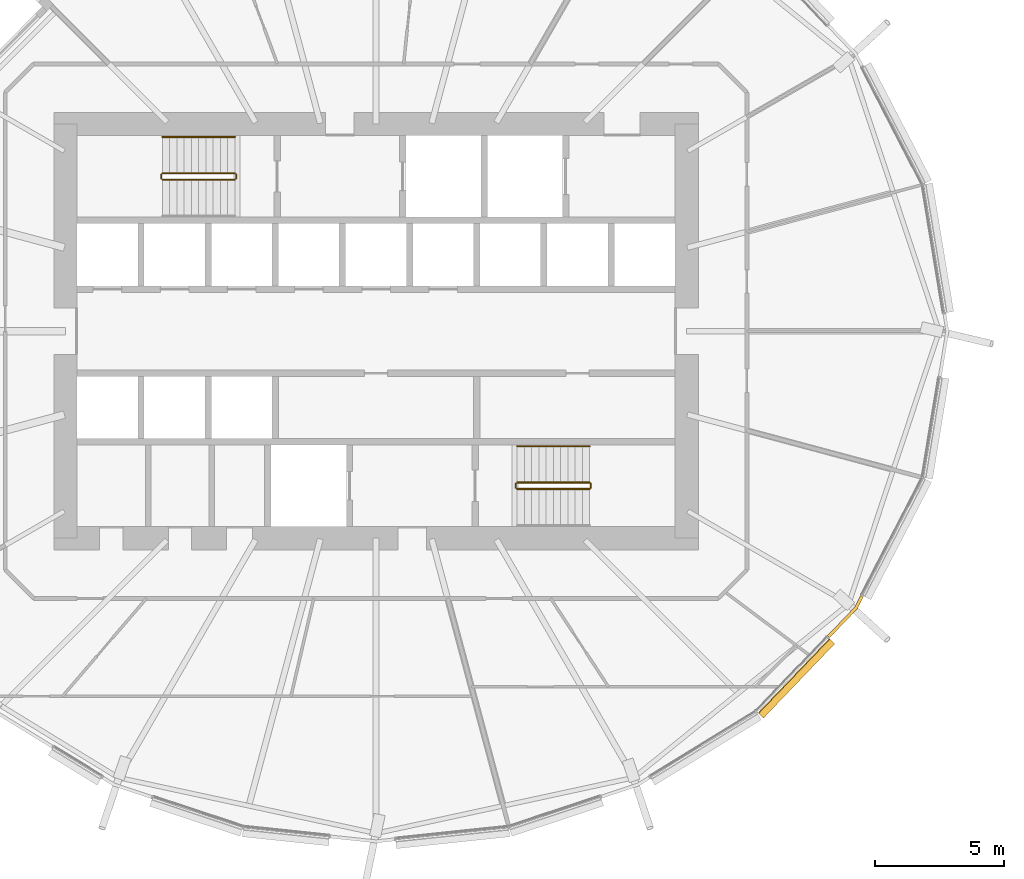
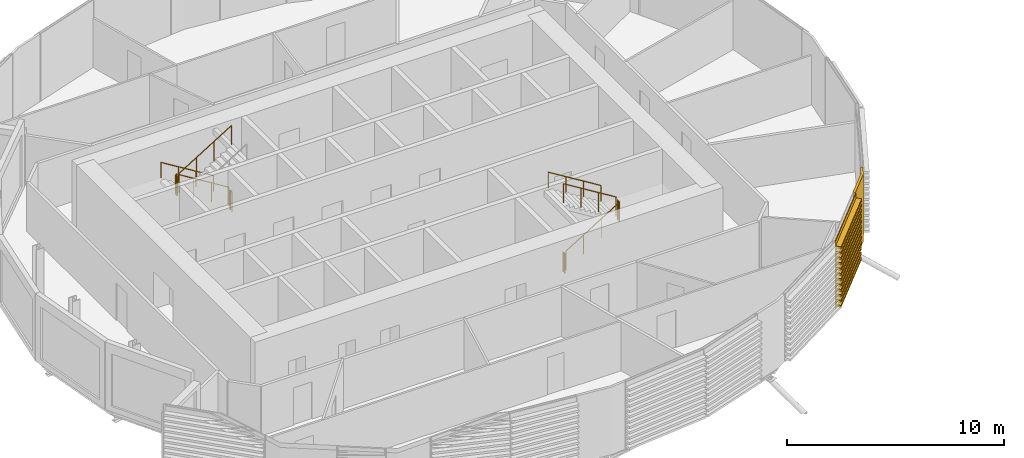
# One storey, part 32 of 36: 10 railings, 2 coverings.
"""IFC4 building model written with IfcOpenShell, lengths in metres."""

from ifc_helpers import new_model, si_unit, direction, frame, origin, origin_2d, place, context, subcontext, project, spatial, polyline, circle, outline, extrude, material, layer, layer_set, material_profile, profile_set, type_object, element, save


model = new_model("IFC4")

# Units and contexts
model_context = context("Model", 3, precision=1e-05, world=origin(), true_north=direction((0.0, 1.0)))
body_context = subcontext(model_context, "Body", "Model", "MODEL_VIEW")
ifc_project = project(units=[si_unit("LENGTHUNIT", "METRE"), si_unit("AREAUNIT", "SQUARE_METRE"), si_unit("VOLUMEUNIT", "CUBIC_METRE"), si_unit("PLANEANGLEUNIT", "RADIAN"), si_unit("MASSUNIT", "GRAM", prefix="KILO")], contexts=[model_context])

# Site, building, storey
site_placement = place(None, origin())
site = spatial("IfcSite", under=ifc_project, at=site_placement, CompositionType="ELEMENT")
building_placement = place(site_placement, origin())
building = spatial("IfcBuilding", under=site, at=building_placement, Name="Rimbun Link Towers", CompositionType="ELEMENT")
storey_placement = place(building_placement, frame((0.0, 0.0, 33.800048828125)))
storey = spatial("IfcBuildingStorey", under=building, at=storey_placement, Name="L07", CompositionType="ELEMENT", Elevation=33.800048828125)

# Covering
ifc_material_1 = material(Name="Terracotta", Category="masonry")
ifc_layer = layer(ifc_material_1, 0.1201171875)
ifc_layer_set = layer_set([ifc_layer], Name="LINK PIER terracotta cladding 120")
covering_type_1 = type_object("IfcCoveringType", Name="LINK PIER terracotta cladding 120", PredefinedType="CLADDING", material=ifc_layer_set)
covering_1_placement = place(storey_placement, origin())
element("IfcCovering", 1, at=covering_1_placement, inside=storey, type_object=covering_type_1, Name="LINK PIER cladding", PredefinedType="CLADDING", context=body_context, shape_type="SweptSolid", body=[
    extrude(outline(polyline([(-13.026123046875, -10.21044921875), (-13.26513671875, -10.672119140625), (-14.317138671875, -11.769287109375), (-14.23046875, -11.8525390625), (-13.16650390625, -10.74267578125), (-12.919677734375, -10.265625), (-13.026123046875, -10.21044921875)])), origin(), (0.0, 0.0, 1.0), 3.800048828125),
])

# Railings
ifc_material_2 = material(Name="Stainless steel grade 316", Category="steel")
railing_type_1 = type_object("IfcRailingType", Name="Stair guard", PredefinedType="GUARDRAIL", material=ifc_material_2)
railing_1_placement = place(storey_placement, frame((-37.199951171875, 6.10009765625, 0.172607421875)))
element("IfcRailing", 2, at=railing_1_placement, inside=storey, type_object=railing_type_1, Name="L07 ST1 stair guard 1", PredefinedType="GUARDRAIL", context=body_context, shape_type="SweptSolid", body=[
    extrude(circle(Radius=0.02392578125, at=origin_2d()), frame((0.0, 0.0, 1.076171875), z_axis=(-0.851089632645, 0.0, 0.525020415988), x_axis=(0.0, -1.0, 0.0)), (0.0, 0.0, 1.0), 3.2900390625),
    extrude(circle(Radius=0.02099609375, at=origin_2d()), origin(), (0.0, 0.0, 1.0), 1.052001953125),
    extrude(circle(Radius=0.02099609375, at=origin_2d()), frame((-0.933349609375, 0.0, 0.57568359375)), (0.0, 0.0, 1.0), 1.052001953125),
    extrude(circle(Radius=0.02099609375, at=origin_2d()), frame((-1.86669921875, 0.0, 1.151611328125)), (0.0, 0.0, 1.0), 1.052001953125),
    extrude(circle(Radius=0.02099609375, at=origin_2d()), frame((-2.800048828125, 0.0, 1.727294921875)), (0.0, 0.0, 1.0), 1.052001953125),
])
railing_2_placement = place(storey_placement, frame((-40.050048828125, 6.050048828125, 1.89990234375)))
element("IfcRailing", 3, at=railing_2_placement, inside=storey, type_object=railing_type_1, Name="L07 ST1 stair guard 2", PredefinedType="GUARDRAIL", context=body_context, shape_type="SweptSolid", body=[
    extrude(circle(Radius=0.02392578125, at=origin_2d()), frame((0.0, 0.0, 1.076171875), z_axis=(0.0, -1.0, 0.0), x_axis=(1.0, 0.0, 0.0)), (0.0, 0.0, 1.0), 0.150146484375),
    extrude(circle(Radius=0.02099609375, at=origin_2d()), origin(), (0.0, 0.0, 1.0), 1.052001953125),
    extrude(circle(Radius=0.02099609375, at=origin_2d()), frame((0.0, -0.150146484375, 0.0)), (0.0, 0.0, 1.0), 1.052001953125),
])
railing_3_placement = place(storey_placement, frame((-40.0, 5.85009765625, 2.07275390625)))
element("IfcRailing", 4, at=railing_3_placement, inside=storey, type_object=railing_type_1, Name="L07 ST1 stair guard 3", PredefinedType="GUARDRAIL", context=body_context, shape_type="SweptSolid", body=[
    extrude(circle(Radius=0.02392578125, at=origin_2d()), frame((0.0, 0.0, 1.076171875), z_axis=(0.851089632645, 0.0, 0.525020415988), x_axis=(0.0, 1.0, 0.0)), (0.0, 0.0, 1.0), 3.2900390625),
    extrude(circle(Radius=0.02099609375, at=origin_2d()), origin(), (0.0, 0.0, 1.0), 1.052001953125),
    extrude(circle(Radius=0.02099609375, at=origin_2d()), frame((0.933349609375, 0.0, 0.57568359375)), (0.0, 0.0, 1.0), 1.052001953125),
    extrude(circle(Radius=0.02099609375, at=origin_2d()), frame((1.86669921875, 0.0, 1.151611328125)), (0.0, 0.0, 1.0), 1.052001953125),
    extrude(circle(Radius=0.02099609375, at=origin_2d()), frame((2.800048828125, 0.0, 1.727294921875)), (0.0, 0.0, 1.0), 1.052001953125),
])
railing_4_placement = place(storey_placement, frame((-37.14990234375, 6.050048828125, 0.0)))
element("IfcRailing", 5, at=railing_4_placement, inside=storey, type_object=railing_type_1, Name="L07 ST1 stair guard 4", PredefinedType="GUARDRAIL", context=body_context, shape_type="SweptSolid", body=[
    extrude(circle(Radius=0.02392578125, at=origin_2d()), frame((0.0, 0.0, 1.076171875), z_axis=(0.0, -1.0, 0.0), x_axis=(1.0, 0.0, 0.0)), (0.0, 0.0, 1.0), 0.150146484375),
    extrude(circle(Radius=0.02099609375, at=origin_2d()), origin(), (0.0, 0.0, 1.0), 1.052001953125),
    extrude(circle(Radius=0.02099609375, at=origin_2d()), frame((0.0, -0.150146484375, 0.0)), (0.0, 0.0, 1.0), 1.052001953125),
])
railing_5_placement = place(storey_placement, frame((-26.300048828125, -6.10009765625, 0.172607421875)))
element("IfcRailing", 6, at=railing_5_placement, inside=storey, type_object=railing_type_1, Name="L07 ST2 stair guard 1", PredefinedType="GUARDRAIL", context=body_context, shape_type="SweptSolid", body=[
    extrude(circle(Radius=0.02392578125, at=origin_2d()), frame((0.0, 0.0, 1.076171875), z_axis=(0.851089632645, 0.0, 0.525020415988), x_axis=(0.0, 1.0, 0.0)), (0.0, 0.0, 1.0), 3.2900390625),
    extrude(circle(Radius=0.02099609375, at=origin_2d()), origin(), (0.0, 0.0, 1.0), 1.052001953125),
    extrude(circle(Radius=0.02099609375, at=origin_2d()), frame((0.933349609375, 0.0, 0.57568359375)), (0.0, 0.0, 1.0), 1.052001953125),
    extrude(circle(Radius=0.02099609375, at=origin_2d()), frame((1.86669921875, 0.0, 1.151611328125)), (0.0, 0.0, 1.0), 1.052001953125),
    extrude(circle(Radius=0.02099609375, at=origin_2d()), frame((2.800048828125, 0.0, 1.727294921875)), (0.0, 0.0, 1.0), 1.052001953125),
])
railing_6_placement = place(storey_placement, frame((-23.449951171875, -6.050048828125, 1.89990234375)))
element("IfcRailing", 7, at=railing_6_placement, inside=storey, type_object=railing_type_1, Name="L07 ST2 stair guard 2", PredefinedType="GUARDRAIL", context=body_context, shape_type="SweptSolid", body=[
    extrude(circle(Radius=0.02392578125, at=origin_2d()), frame((0.0, 0.0, 1.076171875), z_axis=(0.0, 1.0, 0.0), x_axis=(-1.0, 0.0, 0.0)), (0.0, 0.0, 1.0), 0.150146484375),
    extrude(circle(Radius=0.02099609375, at=origin_2d()), origin(), (0.0, 0.0, 1.0), 1.052001953125),
    extrude(circle(Radius=0.02099609375, at=origin_2d()), frame((0.0, 0.150146484375, 0.0)), (0.0, 0.0, 1.0), 1.052001953125),
])
railing_7_placement = place(storey_placement, frame((-23.5, -5.85009765625, 2.07275390625)))
element("IfcRailing", 8, at=railing_7_placement, inside=storey, type_object=railing_type_1, Name="L07 ST2 stair guard 3", PredefinedType="GUARDRAIL", context=body_context, shape_type="SweptSolid", body=[
    extrude(circle(Radius=0.02392578125, at=origin_2d()), frame((0.0, 0.0, 1.076171875), z_axis=(-0.851089632645, 0.0, 0.525020415988), x_axis=(0.0, -1.0, 0.0)), (0.0, 0.0, 1.0), 3.2900390625),
    extrude(circle(Radius=0.02099609375, at=origin_2d()), origin(), (0.0, 0.0, 1.0), 1.052001953125),
    extrude(circle(Radius=0.02099609375, at=origin_2d()), frame((-0.933349609375, 0.0, 0.57568359375)), (0.0, 0.0, 1.0), 1.052001953125),
    extrude(circle(Radius=0.02099609375, at=origin_2d()), frame((-1.86669921875, 0.0, 1.151611328125)), (0.0, 0.0, 1.0), 1.052001953125),
    extrude(circle(Radius=0.02099609375, at=origin_2d()), frame((-2.800048828125, 0.0, 1.727294921875)), (0.0, 0.0, 1.0), 1.052001953125),
])
railing_8_placement = place(storey_placement, frame((-26.35009765625, -6.050048828125, 0.0)))
element("IfcRailing", 9, at=railing_8_placement, inside=storey, type_object=railing_type_1, Name="L07 ST2 stair guard 4", PredefinedType="GUARDRAIL", context=body_context, shape_type="SweptSolid", body=[
    extrude(circle(Radius=0.02392578125, at=origin_2d()), frame((0.0, 0.0, 1.076171875), z_axis=(0.0, 1.0, 0.0), x_axis=(-1.0, 0.0, 0.0)), (0.0, 0.0, 1.0), 0.150146484375),
    extrude(circle(Radius=0.02099609375, at=origin_2d()), origin(), (0.0, 0.0, 1.0), 1.052001953125),
    extrude(circle(Radius=0.02099609375, at=origin_2d()), frame((0.0, 0.150146484375, 0.0)), (0.0, 0.0, 1.0), 1.052001953125),
])
ifc_material_3 = material(Name="Stainless steel grade 316", Category="steel")
railing_type_2 = type_object("IfcRailingType", Name="Stair handrail", PredefinedType="HANDRAIL", material=ifc_material_3)
for number, where, name in (
    (10, (-37.199951171875, 7.5, 0.172607421875), "L07 ST1 stair handrail 1"),
    (11, (-23.5, -4.449951171875, 2.07275390625), "L07 ST2 stair handrail 2"),
):
    element("IfcRailing", number, at=place(storey_placement, frame(where)), inside=storey, type_object=railing_type_2, Name=name, PredefinedType="HANDRAIL", context=body_context, shape_type="SweptSolid", body=[
        extrude(circle(Radius=0.02392578125, at=origin_2d()), frame((0.0, 0.0, 0.8759765625), z_axis=(-0.851089632645, 0.0, 0.525020415988), x_axis=(0.0, -1.0, 0.0)), (0.0, 0.0, 1.0), 3.2900390625),
        extrude(circle(Radius=0.02099609375, at=origin_2d()), origin(), (0.0, 0.0, 1.0), 0.851806640625),
        extrude(circle(Radius=0.02099609375, at=origin_2d()), frame((-0.933349609375, 0.0, 0.57568359375)), (0.0, 0.0, 1.0), 0.851806640625),
        extrude(circle(Radius=0.02099609375, at=origin_2d()), frame((-1.86669921875, 0.0, 1.151611328125)), (0.0, 0.0, 1.0), 0.851806640625),
        extrude(circle(Radius=0.02099609375, at=origin_2d()), frame((-2.800048828125, 0.0, 1.727294921875)), (0.0, 0.0, 1.0), 0.851806640625),
    ])

# Covering
ifc_material_4 = material(Name="Terracotta", Category="masonry")
ifc_material_profile = material_profile(ifc_material_4, outline(polyline([(0.123046875, 0.0), (0.1630859375, 0.0), (0.1630859375, 0.10009765625), (0.423095703125, 0.10009765625), (0.423095703125, 0.219970703125), (0.1630859375, 0.219970703125), (0.1630859375, 0.39990234375), (0.423095703125, 0.39990234375), (0.423095703125, 0.52001953125), (0.1630859375, 0.52001953125), (0.1630859375, 0.699951171875), (0.423095703125, 0.699951171875), (0.423095703125, 0.820068359375), (0.1630859375, 0.820068359375), (0.1630859375, 1.0), (0.423095703125, 1.0), (0.423095703125, 1.1201171875), (0.1630859375, 1.1201171875), (0.1630859375, 1.300048828125), (0.423095703125, 1.300048828125), (0.423095703125, 1.419921875), (0.1630859375, 1.419921875), (0.1630859375, 1.60009765625), (0.423095703125, 1.60009765625), (0.423095703125, 1.719970703125), (0.1630859375, 1.719970703125), (0.1630859375, 1.89990234375), (0.423095703125, 1.89990234375), (0.423095703125, 2.02001953125), (0.1630859375, 2.02001953125), (0.1630859375, 2.199951171875), (0.423095703125, 2.199951171875), (0.423095703125, 2.320068359375), (0.1630859375, 2.320068359375), (0.1630859375, 2.5), (0.423095703125, 2.5), (0.423095703125, 2.6201171875), (0.1630859375, 2.6201171875), (0.1630859375, 2.800048828125), (0.423095703125, 2.800048828125), (0.423095703125, 2.919921875), (0.1630859375, 2.919921875), (0.1630859375, 3.10009765625), (0.423095703125, 3.10009765625), (0.423095703125, 3.219970703125), (0.1630859375, 3.219970703125), (0.1630859375, 3.39990234375), (0.423095703125, 3.39990234375), (0.423095703125, 3.52001953125), (0.1630859375, 3.52001953125), (0.1630859375, 3.800048828125), (0.123046875, 3.800048828125), (0.123046875, 0.0)])), Name="BAGUETTE 120X300")
ifc_profile_set = profile_set([ifc_material_profile], Name="Terracotta")
covering_type_2 = type_object("IfcCoveringType", Name="TERRACOTTA BAGUETTE 120X300 H3800", PredefinedType="CLADDING", material=ifc_profile_set)
covering_2_placement = place(storey_placement, frame((-14.337890625, -11.791015625, 0.0), z_axis=(-0.692026728068, -0.721871877579, 0.0), x_axis=(0.721871877579, -0.692026728068, 0.0)))
element("IfcCovering", 12, at=covering_2_placement, inside=storey, type_object=covering_type_2, Name="TERRACOTTA BAGUETTE", PredefinedType="CLADDING", context=body_context, shape_type="SweptSolid", body=[
    extrude(outline(polyline([(0.123046875, 0.0), (0.1630859375, 0.0), (0.1630859375, 0.10009765625), (0.423095703125, 0.10009765625), (0.423095703125, 0.219970703125), (0.1630859375, 0.219970703125), (0.1630859375, 0.39990234375), (0.423095703125, 0.39990234375), (0.423095703125, 0.52001953125), (0.1630859375, 0.52001953125), (0.1630859375, 0.699951171875), (0.423095703125, 0.699951171875), (0.423095703125, 0.820068359375), (0.1630859375, 0.820068359375), (0.1630859375, 1.0), (0.423095703125, 1.0), (0.423095703125, 1.1201171875), (0.1630859375, 1.1201171875), (0.1630859375, 1.300048828125), (0.423095703125, 1.300048828125), (0.423095703125, 1.419921875), (0.1630859375, 1.419921875), (0.1630859375, 1.60009765625), (0.423095703125, 1.60009765625), (0.423095703125, 1.719970703125), (0.1630859375, 1.719970703125), (0.1630859375, 1.89990234375), (0.423095703125, 1.89990234375), (0.423095703125, 2.02001953125), (0.1630859375, 2.02001953125), (0.1630859375, 2.199951171875), (0.423095703125, 2.199951171875), (0.423095703125, 2.320068359375), (0.1630859375, 2.320068359375), (0.1630859375, 2.5), (0.423095703125, 2.5), (0.423095703125, 2.6201171875), (0.1630859375, 2.6201171875), (0.1630859375, 2.800048828125), (0.423095703125, 2.800048828125), (0.423095703125, 2.919921875), (0.1630859375, 2.919921875), (0.1630859375, 3.10009765625), (0.423095703125, 3.10009765625), (0.423095703125, 3.219970703125), (0.1630859375, 3.219970703125), (0.1630859375, 3.39990234375), (0.423095703125, 3.39990234375), (0.423095703125, 3.52001953125), (0.1630859375, 3.52001953125), (0.1630859375, 3.800048828125), (0.123046875, 3.800048828125), (0.123046875, 0.0)])), origin(), (0.0, 0.0, 1.0), 3.9755859375),
])

save(model, "model.ifc")
